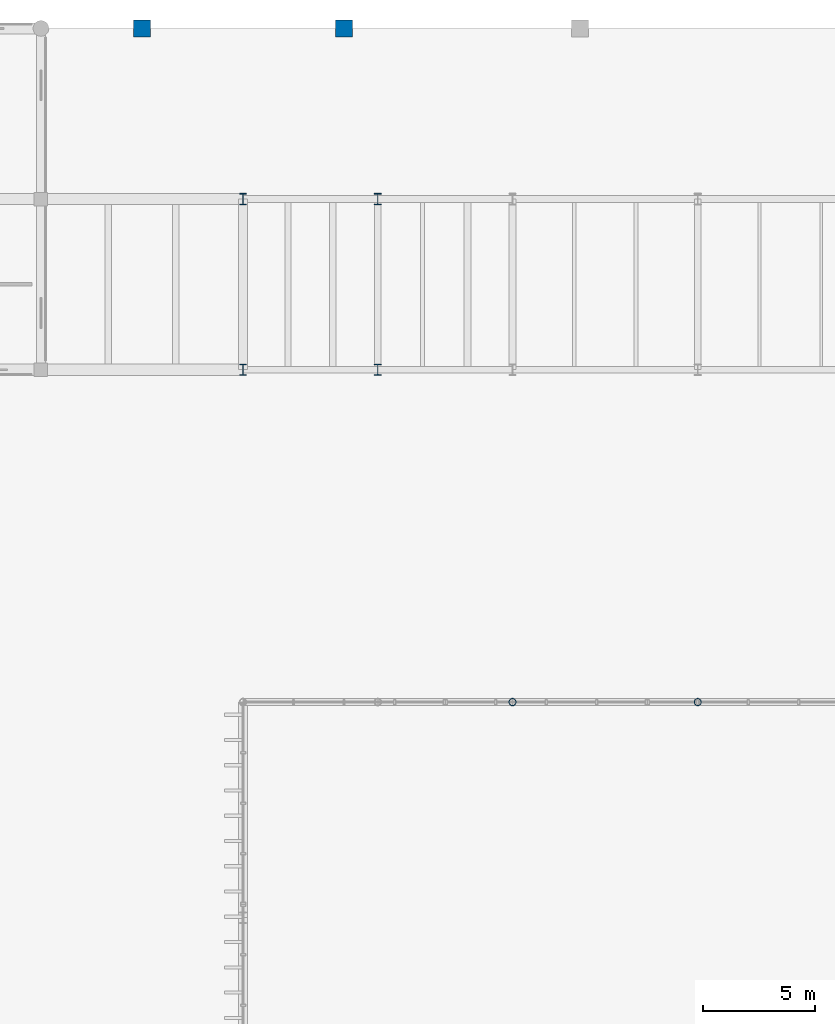
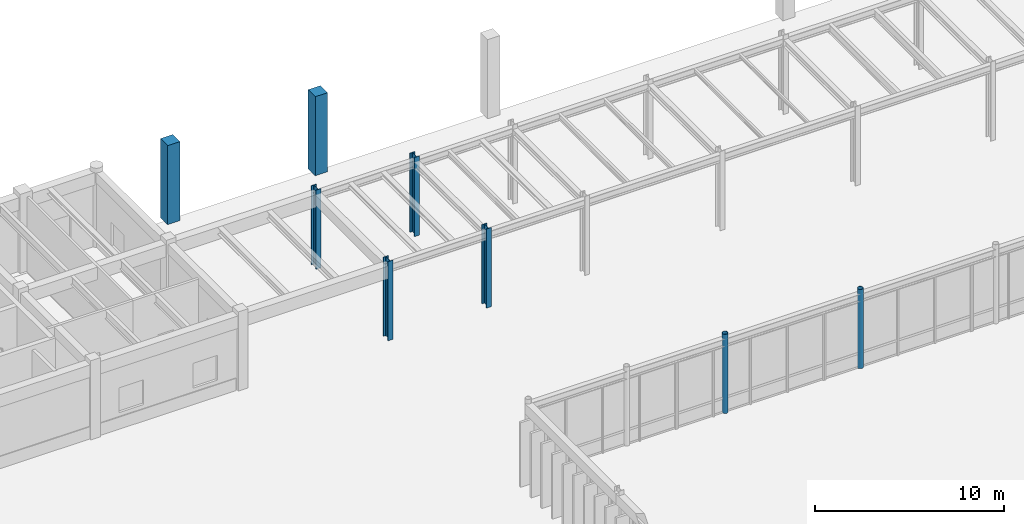
# One storey, part 11 of 64: 8 columns.
"""IFC4 building model written with IfcOpenShell, lengths in metres."""

from ifc_helpers import new_model, si_unit, direction, frame, origin, origin_2d, place, context, subcontext, project, spatial, rectangle, hollow_circle, i_section, extrude, material, material_profile, profile_set, type_object, element, save


model = new_model("IFC4")

# Units and contexts
model_context = context("Model", 3, precision=1e-05, world=origin(), true_north=direction((0.0, 1.0)))
body_context = subcontext(model_context, "Body", "Model", "MODEL_VIEW")
ifc_project = project(units=[si_unit("LENGTHUNIT", "METRE"), si_unit("AREAUNIT", "SQUARE_METRE"), si_unit("VOLUMEUNIT", "CUBIC_METRE"), si_unit("PLANEANGLEUNIT", "RADIAN"), si_unit("MASSUNIT", "GRAM", prefix="KILO")], contexts=[model_context])

# Site, building, storey
site_placement = place(None, origin())
site = spatial("IfcSite", under=ifc_project, at=site_placement, CompositionType="ELEMENT")
building_placement = place(site_placement, origin())
building = spatial("IfcBuilding", under=site, at=building_placement, Name="Montealbar Specialist Clinic", CompositionType="ELEMENT")
storey_placement = place(building_placement, origin())
storey = spatial("IfcBuildingStorey", under=building, at=storey_placement, Name="L00", CompositionType="ELEMENT", Elevation=0.0)

# Columns
ifc_material_1 = material(Name="Steel S355", Category="steel")
ifc_material_profile_1 = material_profile(ifc_material_1, hollow_circle(Radius=0.161865234375, WallThickness=0.01611328125, at=origin_2d()), Name="CHS 323.9x16.0", Category="steel")
ifc_profile_set_1 = profile_set([ifc_material_profile_1], Name="Steel S355")
column_type_1 = type_object("IfcColumnType", Name="COL-CHS-HALL-EXT", PredefinedType="COLUMN", material=ifc_profile_set_1)
for number, where, z_axis, x_axis, name in (
    (1, (66.0, 81.0, 0.0), (0.0, 0.0, 1.0), (1.0, 0.0, 0.0), "Column 9/K L00"),
    (2, (74.25, 81.0, 0.0), (0.0, 0.0, 1.0), (1.0, 0.0, 0.0), "Column 10/K L00"),
):
    element("IfcColumn", number, at=place(storey_placement, frame(where, z_axis=z_axis, x_axis=x_axis)), inside=storey, type_object=column_type_1, Name=name, PredefinedType="COLUMN", context=body_context, shape_type="SweptSolid", body=[
        extrude(hollow_circle(Radius=0.161865234375, WallThickness=0.01611328125, at=origin_2d()), origin(), (0.0, 0.0, 1.0), 5.10009765625),
    ])
ifc_material_profile_2 = material_profile(ifc_material_1, i_section(OverallWidth=0.300048828125, OverallDepth=0.5, WebThickness=0.014404296875, FlangeThickness=0.028076171875, FilletRadius=0.027099609375, at=origin_2d()), Name="HEB 500", Category="steel")
ifc_profile_set_2 = profile_set([ifc_material_profile_2], Name="Steel S355")
column_type_2 = type_object("IfcColumnType", Name="COL-S-L00-STD-EXT", PredefinedType="COLUMN", material=ifc_profile_set_2)
for number, where, z_axis, x_axis, name in (
    (3, (54.0, 95.800048828125, 0.0), (0.0, 0.0, 1.0), (1.0, 0.0, 0.0), "Column 7/M L00"),
    (4, (54.0, 103.39990234375, 0.0), (0.0, 0.0, 1.0), (1.0, 0.0, 0.0), "Column 7/N L00"),
    (5, (60.0, 95.800048828125, 0.0), (0.0, 0.0, 1.0), (1.0, 0.0, 0.0), "Column 8/M L00"),
    (6, (60.0, 103.39990234375, 0.0), (0.0, 0.0, 1.0), (1.0, 0.0, 0.0), "Column 8/N L00"),
):
    element("IfcColumn", number, at=place(storey_placement, frame(where, z_axis=z_axis, x_axis=x_axis)), inside=storey, type_object=column_type_2, Name=name, PredefinedType="COLUMN", context=body_context, shape_type="SweptSolid", body=[
        extrude(i_section(OverallWidth=0.300048828125, OverallDepth=0.5, WebThickness=0.014404296875, FlangeThickness=0.028076171875, FilletRadius=0.027099609375, at=origin_2d()), origin(), (0.0, 0.0, 1.0), 5.10009765625),
    ])
ifc_material_2 = material(Name="Guadarrama granite ashlar", Category="masonry")
ifc_material_profile_3 = material_profile(ifc_material_2, rectangle(XDim=0.75, YDim=0.75, at=origin_2d()), Name="GRANITE PILASTER 750x750", Category="masonry")
ifc_profile_set_3 = profile_set([ifc_material_profile_3], Name="Guadarrama granite ashlar")
column_type_3 = type_object("IfcColumnType", Name="PIL-PM-GIANT-EXT", PredefinedType="PILASTER", material=ifc_profile_set_3)
for number, where, z_axis, x_axis, name in (
    (7, (49.5, 111.0, 0.0), (0.0, 0.0, 1.0), (1.0, 0.0, 0.0), "Column NP4/P L00"),
    (8, (58.5, 111.0, 0.0), (0.0, 0.0, 1.0), (1.0, 0.0, 0.0), "Column NP5/P L00"),
):
    element("IfcColumn", number, at=place(storey_placement, frame(where, z_axis=z_axis, x_axis=x_axis)), inside=storey, type_object=column_type_3, Name=name, PredefinedType="PILASTER", context=body_context, shape_type="SweptSolid", body=[
        extrude(rectangle(XDim=0.75, YDim=0.75, at=origin_2d()), origin(), (0.0, 0.0, 1.0), 5.10009765625),
    ])

save(model, "model.ifc")
